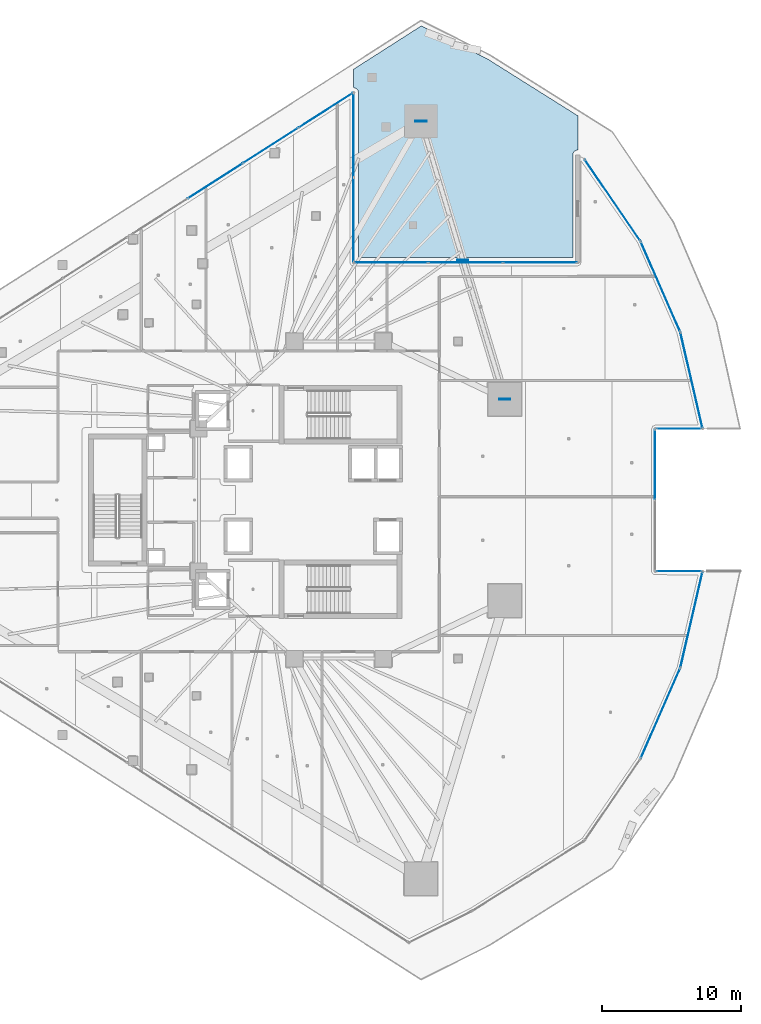
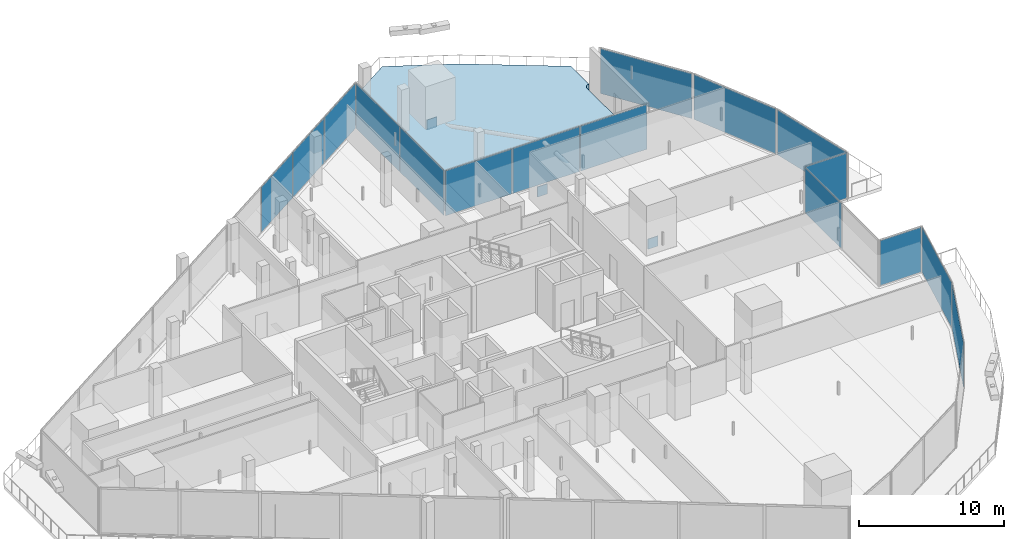
# One storey, part 30 of 47: 19 plates, 1 slab, 11 elements without a shape of their own.
"""IFC4 building model written with IfcOpenShell, lengths in metres."""

from ifc_helpers import new_model, si_unit, direction, frame, origin, origin_2d, place, context, subcontext, project, spatial, polyline, rectangle, outline, extrude, material, layer, layer_set, type_object, element, aggregate, save


model = new_model("IFC4")

# Units and contexts
model_context = context("Model", 3, precision=1e-05, world=origin(), true_north=direction((0.0, 1.0)))
body_context = subcontext(model_context, "Body", "Model", "MODEL_VIEW")
ifc_project = project(units=[si_unit("LENGTHUNIT", "METRE"), si_unit("AREAUNIT", "SQUARE_METRE"), si_unit("VOLUMEUNIT", "CUBIC_METRE"), si_unit("PLANEANGLEUNIT", "RADIAN"), si_unit("MASSUNIT", "GRAM", prefix="KILO")], contexts=[model_context])

# Site, building, storey
site_placement = place(None, origin())
site = spatial("IfcSite", under=ifc_project, at=site_placement, CompositionType="ELEMENT")
building_placement = place(site_placement, origin())
building = spatial("IfcBuilding", under=site, at=building_placement, Name="Qorvath Tower", CompositionType="ELEMENT")
storey_placement = place(building_placement, frame((0.0, 0.0, 82.800048828125)))
storey = spatial("IfcBuildingStorey", under=building, at=storey_placement, Name="L18", CompositionType="ELEMENT", Elevation=82.800048828125)

# Curtain wall, plates
ifc_material_1 = material(Name="Anodised aluminium and triple low-E glass", Category="aluminium")
ifc_layer_1 = layer(ifc_material_1, 0.179931640625)
ifc_layer_set_1 = layer_set([ifc_layer_1], Name="CW-SYS-5")
curtain_wall_type = type_object("IfcCurtainWallType", Name="CW-SYS-5", PredefinedType="NOTDEFINED", material=ifc_layer_set_1)
curtain_wall_1_placement = place(storey_placement, origin())
curtain_wall_1 = element("IfcCurtainWall", 1, at=curtain_wall_1_placement, inside=storey, type_object=curtain_wall_type, Name="Curtain Wall CW-5 CW-T-L18-2.1", PredefinedType="NOTDEFINED")
ifc_material_2 = material(Name="Low-E triple insulated glass", Category="glass")
ifc_layer_2 = layer(ifc_material_2, 0.031982421875)
ifc_layer_set_2 = layer_set([ifc_layer_2], Name="CWP-GLZ-32")
plate_type_1 = type_object("IfcPlateType", Name="CWP-GLZ-32", PredefinedType="CURTAIN_PANEL", material=ifc_layer_set_2)
plate_1_placement = place(storey_placement, frame((-5.8681640625, 17.135986328125, 0.06494140625), z_axis=(0.0, 0.0, 1.0), x_axis=(-1.0, 0.0, 0.0)))
plate_1 = element("IfcPlate", 2, at=plate_1_placement, type_object=plate_type_1, Name="CW-5 panel 1.1", PredefinedType="CURTAIN_PANEL", context=body_context, shape_type="SweptSolid", body=[
    extrude(rectangle(XDim=5.281982421875, YDim=0.031982421875, at=origin_2d()), origin(), (0.0, 0.0, 1.0), 3.7900390625),
])
plate_2_placement = place(storey_placement, frame((-11.243896484375, 17.135986328125, 0.06494140625), z_axis=(0.0, 0.0, 1.0), x_axis=(-1.0, 0.0, 0.0)))
plate_2 = element("IfcPlate", 3, at=plate_2_placement, type_object=plate_type_1, Name="CW-5 panel 2.1", PredefinedType="CURTAIN_PANEL", context=body_context, shape_type="SweptSolid", body=[
    extrude(rectangle(XDim=5.319580078125, YDim=0.031982421875, at=origin_2d()), origin(), (0.0, 0.0, 1.0), 3.7900390625),
])
plate_3_placement = place(storey_placement, frame((-16.619873046875, 17.135986328125, 0.06494140625), z_axis=(0.0, 0.0, 1.0), x_axis=(-1.0, 0.0, 0.0)))
plate_3 = element("IfcPlate", 4, at=plate_3_placement, type_object=plate_type_1, Name="CW-5 panel 3.1", PredefinedType="CURTAIN_PANEL", context=body_context, shape_type="SweptSolid", body=[
    extrude(rectangle(XDim=5.281982421875, YDim=0.031982421875, at=origin_2d()), origin(), (0.0, 0.0, 1.0), 3.7900390625),
])
aggregate(curtain_wall_1, [plate_1, plate_2, plate_3])

curtain_wall_2_placement = place(storey_placement, origin())
curtain_wall_2 = element("IfcCurtainWall", 5, at=curtain_wall_2_placement, inside=storey, type_object=curtain_wall_type, Name="Curtain Wall CW-5 CW-T-L18-3.1", PredefinedType="NOTDEFINED")
plate_4_placement = place(storey_placement, frame((-19.3359375, 20.221923828125, 0.06494140625), z_axis=(0.0, 0.0, 1.0), x_axis=(0.0, 1.0, 0.0)))
plate_4 = element("IfcPlate", 6, at=plate_4_placement, type_object=plate_type_1, Name="CW-5 panel 1.1", PredefinedType="CURTAIN_PANEL", context=body_context, shape_type="SweptSolid", body=[
    extrude(rectangle(XDim=6.02197265625, YDim=0.031982421875, at=origin_2d()), origin(), (0.0, 0.0, 1.0), 3.7900390625),
])
plate_5_placement = place(storey_placement, frame((-19.3359375, 26.319091796875, 0.06494140625), z_axis=(0.0, 0.0, 1.0), x_axis=(0.0, 1.0, 0.0)))
plate_5 = element("IfcPlate", 7, at=plate_5_placement, type_object=plate_type_1, Name="CW-5 panel 2.1", PredefinedType="CURTAIN_PANEL", context=body_context, shape_type="SweptSolid", body=[
    extrude(rectangle(XDim=6.02197265625, YDim=0.031982421875, at=origin_2d()), origin(), (0.0, 0.0, 1.0), 3.7900390625),
])
aggregate(curtain_wall_2, [plate_4, plate_5])

curtain_wall_3_placement = place(storey_placement, origin())
curtain_wall_3 = element("IfcCurtainWall", 8, at=curtain_wall_3_placement, inside=storey, type_object=curtain_wall_type, Name="Curtain Wall CW-5 CW-T-L18-4.1", PredefinedType="NOTDEFINED")
plate_6_placement = place(storey_placement, frame((-21.34765625, 28.119140625, 0.06494140625), z_axis=(0.0, 0.0, 1.0), x_axis=(-0.84260148157, -0.538537596882, 0.0)))
plate_6 = element("IfcPlate", 9, at=plate_6_placement, type_object=plate_type_1, Name="CW-5 panel 1.1", PredefinedType="CURTAIN_PANEL", context=body_context, shape_type="SweptSolid", body=[
    extrude(rectangle(XDim=4.625244140625, YDim=0.031982421875, at=origin_2d()), origin(), (0.0, 0.0, 1.0), 3.7900390625),
])
plate_7_placement = place(storey_placement, frame((-25.323974609375, 25.577880859375, 0.06494140625), z_axis=(0.0, 0.0, 1.0), x_axis=(-0.84260148157, -0.538537596882, 0.0)))
plate_7 = element("IfcPlate", 10, at=plate_7_placement, type_object=plate_type_1, Name="CW-5 panel 2.1", PredefinedType="CURTAIN_PANEL", context=body_context, shape_type="SweptSolid", body=[
    extrude(rectangle(XDim=4.662841796875, YDim=0.031982421875, at=origin_2d()), origin(), (0.0, 0.0, 1.0), 3.7900390625),
])
plate_8_placement = place(storey_placement, frame((-29.31591796875, 23.0263671875, 0.06494140625), z_axis=(0.0, 0.0, 1.0), x_axis=(-0.84260148157, -0.538537596882, 0.0)))
plate_8 = element("IfcPlate", 11, at=plate_8_placement, type_object=plate_type_1, Name="CW-5 panel 3.1", PredefinedType="CURTAIN_PANEL", context=body_context, shape_type="SweptSolid", body=[
    extrude(rectangle(XDim=4.662841796875, YDim=0.031982421875, at=origin_2d()), origin(), (0.0, 0.0, 1.0), 3.7900390625),
])
aggregate(curtain_wall_3, [plate_6, plate_7, plate_8])

# Curtain wall, plate
curtain_wall_4_placement = place(storey_placement, origin())
curtain_wall_4 = element("IfcCurtainWall", 12, at=curtain_wall_4_placement, inside=storey, type_object=curtain_wall_type, Name="Curtain Wall CW-5 CW-T-L18-10.1", PredefinedType="NOTDEFINED")
plate_9_placement = place(storey_placement, frame((2.81103515625, -15.40478515625, 0.06494140625), z_axis=(0.0, 0.0, 1.0), x_axis=(0.401439527499, 0.915885530927, 0.0)))
plate_9 = element("IfcPlate", 13, at=plate_9_placement, type_object=plate_type_1, Name="CW-5 panel 1.1", PredefinedType="CURTAIN_PANEL", context=body_context, shape_type="SweptSolid", body=[
    extrude(rectangle(XDim=7.015869140625, YDim=0.031982421875, at=origin_2d()), origin(), (0.0, 0.0, 1.0), 3.7900390625),
])
aggregate(curtain_wall_4, [plate_9])

curtain_wall_5_placement = place(storey_placement, origin())
curtain_wall_5 = element("IfcCurtainWall", 14, at=curtain_wall_5_placement, inside=storey, type_object=curtain_wall_type, Name="Curtain Wall CW-5 CW-T-L18-11.1", PredefinedType="NOTDEFINED")
plate_10_placement = place(storey_placement, frame((5.055419921875, -8.632080078125, 0.06494140625), z_axis=(0.0, 0.0, 1.0), x_axis=(0.22492269459, 0.974376611716, 0.0)))
plate_10 = element("IfcPlate", 15, at=plate_10_placement, type_object=plate_type_1, Name="CW-5 panel 1.1", PredefinedType="CURTAIN_PANEL", context=body_context, shape_type="SweptSolid", body=[
    extrude(rectangle(XDim=7.01611328125, YDim=0.031982421875, at=origin_2d()), origin(), (0.0, 0.0, 1.0), 3.7900390625),
])
aggregate(curtain_wall_5, [plate_10])

curtain_wall_6_placement = place(storey_placement, origin())
curtain_wall_6 = element("IfcCurtainWall", 16, at=curtain_wall_6_placement, inside=storey, type_object=curtain_wall_type, Name="Curtain Wall CW-5 CW-T-L18-12.1", PredefinedType="NOTDEFINED")
plate_11_placement = place(storey_placement, frame((4.147705078125, -5.140869140625, 0.06494140625), z_axis=(0.0, 0.0, 1.0), x_axis=(-1.0, 0.0, 0.0)))
plate_11 = element("IfcPlate", 17, at=plate_11_placement, type_object=plate_type_1, Name="CW-5 panel 1.1", PredefinedType="CURTAIN_PANEL", context=body_context, shape_type="SweptSolid", body=[
    extrude(rectangle(XDim=3.277099609375, YDim=0.031982421875, at=origin_2d()), origin(), (0.0, 0.0, 1.0), 3.7900390625),
])
aggregate(curtain_wall_6, [plate_11])

curtain_wall_7_placement = place(storey_placement, origin())
curtain_wall_7 = element("IfcCurtainWall", 18, at=curtain_wall_7_placement, inside=storey, type_object=curtain_wall_type, Name="Curtain Wall CW-5 CW-T-L18-13.1", PredefinedType="NOTDEFINED")
plate_12_placement = place(storey_placement, frame((2.43408203125, 2.5517578125, 0.06494140625), z_axis=(0.0, 0.0, 1.0), x_axis=(0.0, 1.0, 0.0)))
plate_12 = element("IfcPlate", 19, at=plate_12_placement, type_object=plate_type_1, Name="CW-5 panel 2.1", PredefinedType="CURTAIN_PANEL", context=body_context, shape_type="SweptSolid", body=[
    extrude(rectangle(XDim=5.0283203125, YDim=0.031982421875, at=origin_2d()), origin(), (0.0, 0.0, 1.0), 3.7900390625),
])
aggregate(curtain_wall_7, [plate_12])

curtain_wall_8_placement = place(storey_placement, origin())
curtain_wall_8 = element("IfcCurtainWall", 20, at=curtain_wall_8_placement, inside=storey, type_object=curtain_wall_type, Name="Curtain Wall CW-5 CW-T-L18-14.1", PredefinedType="NOTDEFINED")
plate_13_placement = place(storey_placement, frame((4.147705078125, 5.140869140625, 0.06494140625), z_axis=(0.0, 0.0, 1.0), x_axis=(1.0, 0.0, 0.0)))
plate_13 = element("IfcPlate", 21, at=plate_13_placement, type_object=plate_type_1, Name="CW-5 panel 1.1", PredefinedType="CURTAIN_PANEL", context=body_context, shape_type="SweptSolid", body=[
    extrude(rectangle(XDim=3.277099609375, YDim=0.031982421875, at=origin_2d()), origin(), (0.0, 0.0, 1.0), 3.7900390625),
])
aggregate(curtain_wall_8, [plate_13])

curtain_wall_9_placement = place(storey_placement, origin())
curtain_wall_9 = element("IfcCurtainWall", 22, at=curtain_wall_9_placement, inside=storey, type_object=curtain_wall_type, Name="Curtain Wall CW-5 CW-T-L18-15.1", PredefinedType="NOTDEFINED")
plate_14_placement = place(storey_placement, frame((5.055419921875, 8.632080078125, 0.06494140625), z_axis=(0.0, 0.0, 1.0), x_axis=(-0.22492269459, 0.974376611716, 0.0)))
plate_14 = element("IfcPlate", 23, at=plate_14_placement, type_object=plate_type_1, Name="CW-5 panel 1.1", PredefinedType="CURTAIN_PANEL", context=body_context, shape_type="SweptSolid", body=[
    extrude(rectangle(XDim=7.01611328125, YDim=0.031982421875, at=origin_2d()), origin(), (0.0, 0.0, 1.0), 3.7900390625),
])
aggregate(curtain_wall_9, [plate_14])

curtain_wall_10_placement = place(storey_placement, origin())
curtain_wall_10 = element("IfcCurtainWall", 24, at=curtain_wall_10_placement, inside=storey, type_object=curtain_wall_type, Name="Curtain Wall CW-5 CW-T-L18-16.1", PredefinedType="NOTDEFINED")
plate_15_placement = place(storey_placement, frame((2.81103515625, 15.40478515625, 0.06494140625), z_axis=(0.0, 0.0, 1.0), x_axis=(-0.401439527499, 0.915885530927, 0.0)))
plate_15 = element("IfcPlate", 25, at=plate_15_placement, type_object=plate_type_1, Name="CW-5 panel 1.1", PredefinedType="CURTAIN_PANEL", context=body_context, shape_type="SweptSolid", body=[
    extrude(rectangle(XDim=7.015869140625, YDim=0.031982421875, at=origin_2d()), origin(), (0.0, 0.0, 1.0), 3.7900390625),
])
aggregate(curtain_wall_10, [plate_15])

curtain_wall_11_placement = place(storey_placement, origin())
curtain_wall_11 = element("IfcCurtainWall", 26, at=curtain_wall_11_placement, inside=storey, type_object=curtain_wall_type, Name="Curtain Wall CW-5 CW-T-L18-17.1", PredefinedType="NOTDEFINED")
plate_16_placement = place(storey_placement, frame((-0.648193359375, 21.645263671875, 0.06494140625), z_axis=(0.0, 0.0, 1.0), x_axis=(-0.564035916259, 0.825750255931, 0.0)))
plate_16 = element("IfcPlate", 27, at=plate_16_placement, type_object=plate_type_1, Name="CW-5 panel 1.1", PredefinedType="CURTAIN_PANEL", context=body_context, shape_type="SweptSolid", body=[
    extrude(rectangle(XDim=7.01611328125, YDim=0.031982421875, at=origin_2d()), origin(), (0.0, 0.0, 1.0), 3.7900390625),
])
aggregate(curtain_wall_11, [plate_16])

# Plates
ifc_material_3 = material(Name="Steel ASTM A572 Grade 50", Category="steel")
ifc_layer_3 = layer(ifc_material_3, 0.054931640625)
ifc_layer_set_3 = layer_set([ifc_layer_3], Name="PL-MBN1")
plate_type_2 = type_object("IfcPlateType", Name="PL-MBN1", PredefinedType="USERDEFINED", material=ifc_layer_set_3)
for number, where, z_axis, x_axis, name in (
    (28, (-11.447265625, 17.303466796875, -1.05517578125), (0.0, 0.0, 1.0), (1.0, 0.0, 0.0), "Brace Strut End Gusset Plate NDBG-132"),
    (29, (-8.430419921875, 7.2763671875, -0.425048828125), (0.0, 0.0, 1.0), (1.0, 0.0, 0.0), "Brace Strut End Gusset Plate NDBG-134"),
    (30, (-14.46435546875, 27.330810546875, -0.425048828125), (0.0, 0.0, 1.0), (1.0, 0.0, 0.0), "Brace Strut End Gusset Plate NDBG-136"),
):
    element("IfcPlate", number, at=place(storey_placement, frame(where, z_axis=z_axis, x_axis=x_axis)), inside=storey, type_object=plate_type_2, Name=name, ObjectType="GUSSET", PredefinedType="USERDEFINED", context=body_context, shape_type="SweptSolid", body=[
        extrude(rectangle(XDim=0.800048828125, YDim=0.054931640625, at=origin_2d()), origin(), (0.0, 0.0, 1.0), 0.85009765625),
    ])

# Slab
ifc_material_4 = material(Name="Precast concrete C45/55", Category="concrete")
ifc_layer_4 = layer(ifc_material_4, 0.60009765625)
ifc_layer_set_4 = layer_set([ifc_layer_4], Name="SL-PLN-600")
slab_type = type_object("IfcSlabType", Name="SL-PLN-600", PredefinedType="USERDEFINED", material=ifc_layer_set_4)
slab_placement = place(storey_placement, origin())
element("IfcSlab", 31, at=slab_placement, inside=storey, type_object=slab_type, Name="Sky Garden Planted Bed PLANTER L18", ObjectType="PLANTER", PredefinedType="USERDEFINED", context=body_context, shape_type="SweptSolid", body=[
    extrude(outline(polyline([(-3.152099609375, 27.73388671875), (-9.685546875, 31.843017578125), (-14.4384765625, 34.219482421875), (-19.3359375, 31.08935546875), (-19.3359375, 29.754638671875), (-19.296875, 29.752685546875), (-19.26318359375, 29.747314453125), (-19.198486328125, 29.726806640625), (-19.138916015625, 29.694091796875), (-19.086669921875, 29.650634765625), (-19.0439453125, 29.59765625), (-19.01220703125, 29.53759765625), (-18.99267578125, 29.47265625), (-18.986083984375, 29.405029296875), (-18.986083984375, 17.486083984375), (-3.501953125, 17.486083984375), (-3.501953125, 24.905517578125), (-3.495361328125, 24.97265625), (-3.47607421875, 25.03759765625), (-3.444580078125, 25.097412109375), (-3.40234375, 25.150146484375), (-3.3505859375, 25.193603515625), (-3.291259765625, 25.2265625), (-3.22705078125, 25.247314453125), (-3.193603515625, 25.2529296875), (-3.152099609375, 25.255126953125), (-3.152099609375, 27.73388671875)])), origin(), (0.0, 0.0, 1.0), 0.599853515625),
])

save(model, "model.ifc")
